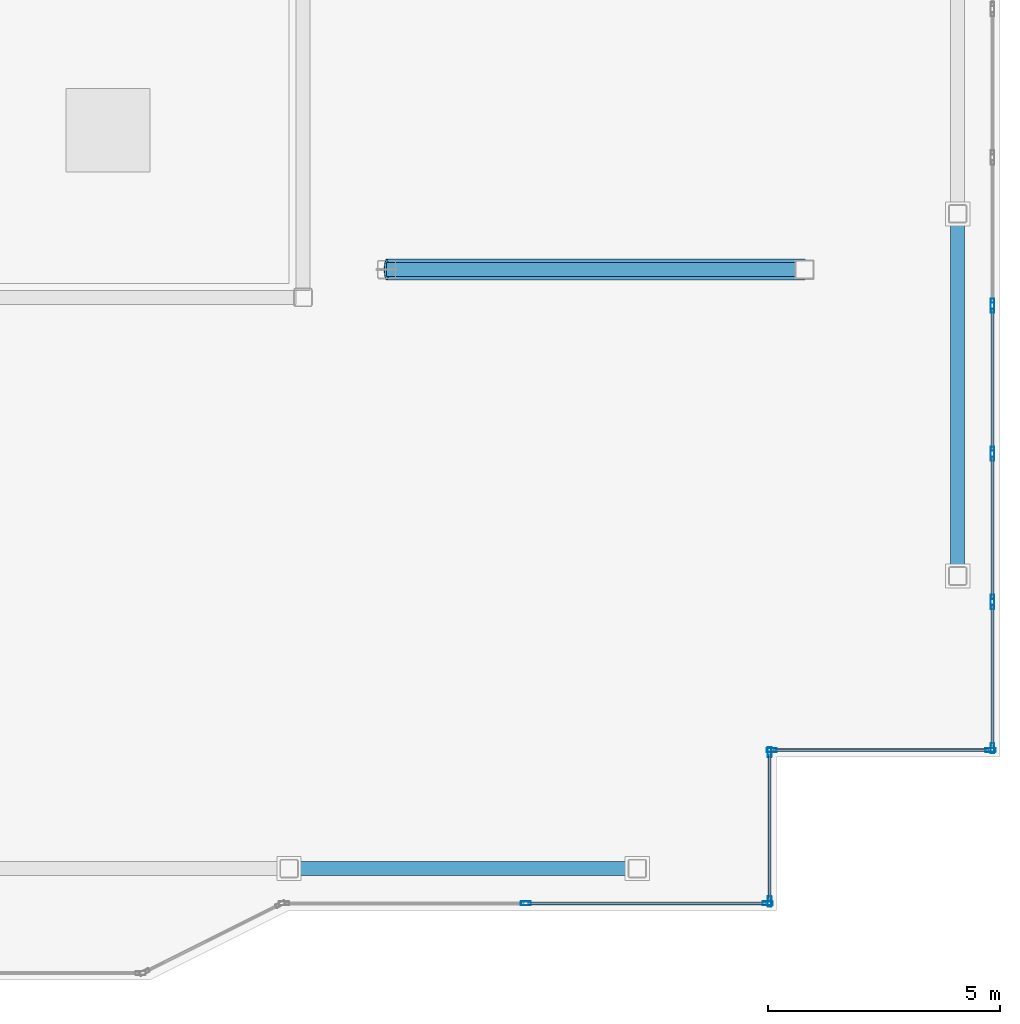
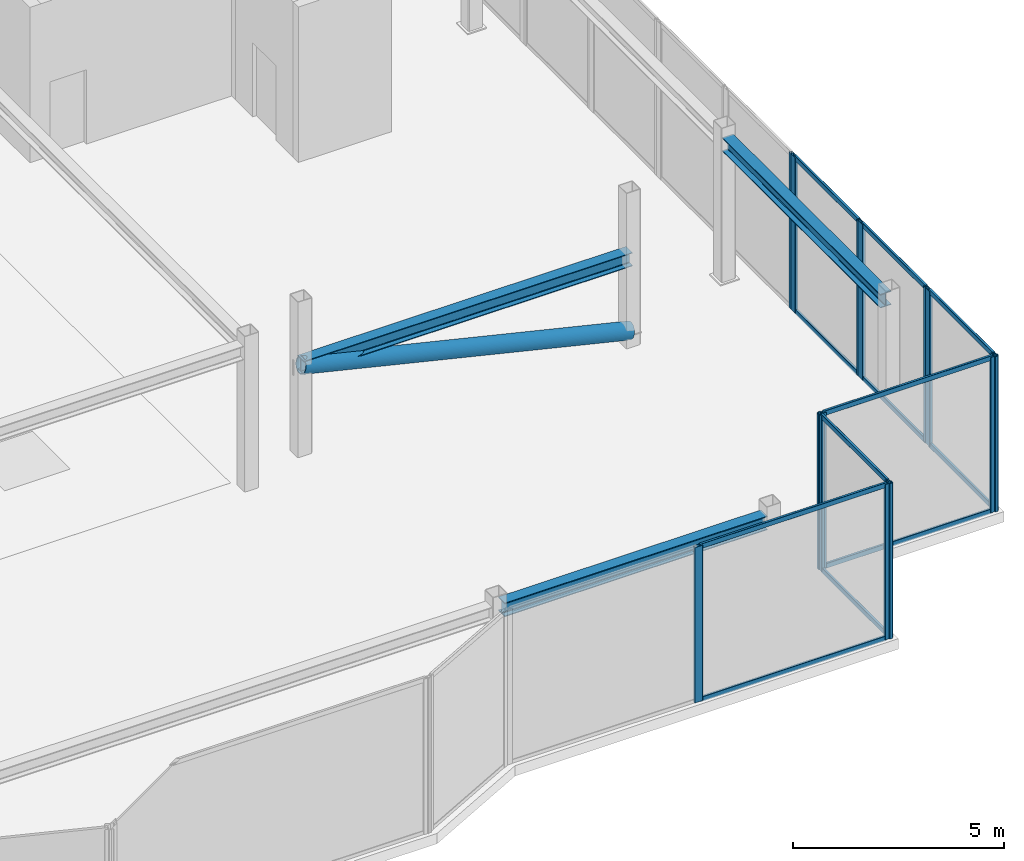
# One storey, part 8 of 18: 26 members, 3 beams, 7 elements without a shape of their own.
"""IFC4 building model written with IfcOpenShell, lengths in metres."""

from ifc_helpers import new_model, si_unit, direction, frame, origin, origin_2d, place, context, subcontext, project, spatial, hollow_rectangle, hollow_circle, i_section, extrude, material, layer, layer_set, material_profile, profile_set, type_object, element, aggregate, save


model = new_model("IFC4")

# Units and contexts
model_context = context("Model", 3, precision=1e-05, world=origin(), true_north=direction((0.0, 1.0)))
body_context = subcontext(model_context, "Body", "Model", "MODEL_VIEW")
ifc_project = project(units=[si_unit("LENGTHUNIT", "METRE"), si_unit("AREAUNIT", "SQUARE_METRE"), si_unit("VOLUMEUNIT", "CUBIC_METRE"), si_unit("PLANEANGLEUNIT", "RADIAN"), si_unit("MASSUNIT", "GRAM", prefix="KILO")], contexts=[model_context])

# Site, building, storey
site_placement = place(None, origin())
site = spatial("IfcSite", under=ifc_project, at=site_placement, CompositionType="ELEMENT")
building_placement = place(site_placement, origin())
building = spatial("IfcBuilding", under=site, at=building_placement, Name="Tarnavaz Court Tower", CompositionType="ELEMENT")
storey_placement = place(building_placement, frame((0.0, 0.0, 281.550048828125)))
storey = spatial("IfcBuildingStorey", under=building, at=storey_placement, Name="C01", CompositionType="ELEMENT", Elevation=281.550048828125)

# Beams
ifc_material_1 = material(Name="Steel S355", Category="steel")
ifc_material_profile_1 = material_profile(ifc_material_1, i_section(OverallWidth=0.300048828125, OverallDepth=0.389892578125, WebThickness=0.010986328125, FlangeThickness=0.01904296875, FilletRadius=0.027099609375, at=origin_2d()), Name="HEA 400")
ifc_profile_set_1 = profile_set([ifc_material_profile_1], Name="Steel S355")
beam_type_1 = type_object("IfcBeamType", Name="BM-CR-IPE300", PredefinedType="USERDEFINED", material=ifc_profile_set_1)
beam_1_placement = place(storey_placement, frame((18.60009765625, -7.199951171875, 2.5), z_axis=(-1.0, 0.0, 0.0), x_axis=(0.0, -1.0, 0.0)))
element("IfcBeam", 1, at=beam_1_placement, inside=storey, type_object=beam_type_1, Name="C01 Crown Frame E Core Tie Beam", ObjectType="CROWN FRAME", PredefinedType="USERDEFINED", context=body_context, shape_type="SweptSolid", body=[
    extrude(i_section(OverallWidth=0.300048828125, OverallDepth=0.389892578125, WebThickness=0.010986328125, FlangeThickness=0.01904296875, FilletRadius=0.027099609375, at=origin_2d()), origin(), (0.0, 0.0, 1.0), 9.0),
])
ifc_material_profile_2 = material_profile(ifc_material_1, i_section(OverallWidth=0.300048828125, OverallDepth=0.39990234375, WebThickness=0.013427734375, FlangeThickness=0.02392578125, FilletRadius=0.027099609375, at=origin_2d()), Name="HEB 400")
ifc_profile_set_2 = profile_set([ifc_material_profile_2], Name="Steel S355")
beam_type_2 = type_object("IfcBeamType", Name="BM-G-HEB400", PredefinedType="USERDEFINED", material=ifc_profile_set_2)
beam_2_placement = place(storey_placement, frame((7.64990234375, -20.10009765625, 4.0), z_axis=(1.0, 0.0, 0.0), x_axis=(0.0, 1.0, 0.0)))
element("IfcBeam", 2, at=beam_2_placement, inside=storey, type_object=beam_type_2, Name="C01 Beam CRG-PS-3-PS-4", ObjectType="GIRDER", PredefinedType="USERDEFINED", context=body_context, shape_type="SweptSolid", body=[
    extrude(i_section(OverallWidth=0.300048828125, OverallDepth=0.39990234375, WebThickness=0.013427734375, FlangeThickness=0.02392578125, FilletRadius=0.027099609375, at=origin_2d()), origin(), (0.0, 0.0, 1.0), 7.2001953125),
])
beam_3_placement = place(storey_placement, frame((21.89990234375, -13.64990234375, 4.0), z_axis=(0.0, 1.0, 0.0), x_axis=(-1.0, 0.0, 0.0)))
element("IfcBeam", 3, at=beam_3_placement, inside=storey, type_object=beam_type_2, Name="C01 Beam CRG-PE-1-PE-2", ObjectType="GIRDER", PredefinedType="USERDEFINED", context=body_context, shape_type="SweptSolid", body=[
    extrude(i_section(OverallWidth=0.300048828125, OverallDepth=0.39990234375, WebThickness=0.013427734375, FlangeThickness=0.02392578125, FilletRadius=0.027099609375, at=origin_2d()), origin(), (0.0, 0.0, 1.0), 7.5),
])

# Curtain wall, member
ifc_material_2 = material(Name="Anodised Aluminium 6063-T6 and Solar Low-E Glazing", Category="aluminium")
ifc_layer = layer(ifc_material_2, 0.2099609375)
ifc_layer_set = layer_set([ifc_layer], Name="Anodised Aluminium 6063-T6 and Solar Low-E Glazing")
curtain_wall_type = type_object("IfcCurtainWallType", Name="CW-SYS-06", PredefinedType="NOTDEFINED", material=ifc_layer_set)
curtain_wall_1_placement = place(storey_placement, origin())
curtain_wall_1 = element("IfcCurtainWall", 4, at=curtain_wall_1_placement, inside=storey, type_object=curtain_wall_type, Name="C01 Slanted Crown Terracotta Curtain Wall 31", PredefinedType="NOTDEFINED")
ifc_material_3 = material(Name="Anodised Aluminium 6063-T6", Category="aluminium")
ifc_material_profile_3 = material_profile(ifc_material_3, hollow_rectangle(XDim=0.0849609375, YDim=0.219970703125, WallThickness=0.006103515625, InnerFilletRadius=0.006103515625, OuterFilletRadius=0.011962890625, at=origin_2d()), Name="ALU RHS 220X85X6")
ifc_profile_set_3 = profile_set([ifc_material_profile_3], Name="Anodised Aluminium 6063-T6")
member_type_1 = type_object("IfcMemberType", Name="CW-MUL-220", PredefinedType="MULLION", material=ifc_profile_set_3)
member_1_placement = place(storey_placement, frame((22.64990234375, -7.934814453125, 0.0), z_axis=(0.0, 0.0, 1.0), x_axis=(1.0, 0.0, 0.0)))
member_1 = element("IfcMember", 5, at=member_1_placement, type_object=member_type_1, Name="CW mullion 2", PredefinedType="MULLION", context=body_context, shape_type="SweptSolid", body=[
    extrude(hollow_rectangle(XDim=0.0849609375, YDim=0.219970703125, WallThickness=0.006103515625, InnerFilletRadius=0.006103515625, OuterFilletRadius=0.011962890625, at=origin_2d()), origin(), (0.0, 0.0, 1.0), 4.5),
])
aggregate(curtain_wall_1, [member_1])

# Curtain wall, members
curtain_wall_2_placement = place(storey_placement, origin())
curtain_wall_2 = element("IfcCurtainWall", 6, at=curtain_wall_2_placement, inside=storey, type_object=curtain_wall_type, Name="C01 Slanted Crown Terracotta Curtain Wall 32", PredefinedType="NOTDEFINED")
member_2_placement = place(storey_placement, frame((22.64990234375, -8.019775390625, 0.0), z_axis=(0.0, 0.0, 1.0), x_axis=(1.0, 0.0, 0.0)))
member_2 = element("IfcMember", 7, at=member_2_placement, type_object=member_type_1, Name="CW mullion 1", PredefinedType="MULLION", context=body_context, shape_type="SweptSolid", body=[
    extrude(hollow_rectangle(XDim=0.0849609375, YDim=0.219970703125, WallThickness=0.006103515625, InnerFilletRadius=0.006103515625, OuterFilletRadius=0.011962890625, at=origin_2d()), origin(), (0.0, 0.0, 1.0), 4.5),
])
member_3_placement = place(storey_placement, frame((22.64990234375, -11.125732421875, 0.0), z_axis=(0.0, 0.0, 1.0), x_axis=(1.0, 0.0, 0.0)))
member_3 = element("IfcMember", 8, at=member_3_placement, type_object=member_type_1, Name="CW mullion 2", PredefinedType="MULLION", context=body_context, shape_type="SweptSolid", body=[
    extrude(hollow_rectangle(XDim=0.0849609375, YDim=0.219970703125, WallThickness=0.006103515625, InnerFilletRadius=0.006103515625, OuterFilletRadius=0.011962890625, at=origin_2d()), origin(), (0.0, 0.0, 1.0), 4.5),
])

curtain_wall_3_placement = place(storey_placement, origin())
curtain_wall_3 = element("IfcCurtainWall", 9, at=curtain_wall_3_placement, inside=storey, type_object=curtain_wall_type, Name="C01 Slanted Crown Terracotta Curtain Wall 33", PredefinedType="NOTDEFINED")
member_4_placement = place(storey_placement, frame((22.64990234375, -11.210693359375, 0.0), z_axis=(0.0, 0.0, 1.0), x_axis=(1.0, 0.0, 0.0)))
member_4 = element("IfcMember", 10, at=member_4_placement, type_object=member_type_1, Name="CW mullion 1", PredefinedType="MULLION", context=body_context, shape_type="SweptSolid", body=[
    extrude(hollow_rectangle(XDim=0.0849609375, YDim=0.219970703125, WallThickness=0.006103515625, InnerFilletRadius=0.006103515625, OuterFilletRadius=0.011962890625, at=origin_2d()), origin(), (0.0, 0.0, 1.0), 4.5),
])
member_5_placement = place(storey_placement, frame((22.64990234375, -14.316650390625, 0.0), z_axis=(0.0, 0.0, 1.0), x_axis=(1.0, 0.0, 0.0)))
member_5 = element("IfcMember", 11, at=member_5_placement, type_object=member_type_1, Name="CW mullion 2", PredefinedType="MULLION", context=body_context, shape_type="SweptSolid", body=[
    extrude(hollow_rectangle(XDim=0.0849609375, YDim=0.219970703125, WallThickness=0.006103515625, InnerFilletRadius=0.006103515625, OuterFilletRadius=0.011962890625, at=origin_2d()), origin(), (0.0, 0.0, 1.0), 4.5),
])

curtain_wall_4_placement = place(storey_placement, origin())
curtain_wall_4 = element("IfcCurtainWall", 12, at=curtain_wall_4_placement, inside=storey, type_object=curtain_wall_type, Name="C01 Slanted Crown Terracotta Curtain Wall 34", PredefinedType="NOTDEFINED")
member_6_placement = place(storey_placement, frame((22.64990234375, -14.401611328125, 0.0), z_axis=(0.0, 0.0, 1.0), x_axis=(1.0, 0.0, 0.0)))
member_6 = element("IfcMember", 13, at=member_6_placement, type_object=member_type_1, Name="CW mullion 1", PredefinedType="MULLION", context=body_context, shape_type="SweptSolid", body=[
    extrude(hollow_rectangle(XDim=0.0849609375, YDim=0.219970703125, WallThickness=0.006103515625, InnerFilletRadius=0.006103515625, OuterFilletRadius=0.011962890625, at=origin_2d()), origin(), (0.0, 0.0, 1.0), 4.5),
])
member_7_placement = place(storey_placement, frame((22.64990234375, -17.507568359375, 0.0), z_axis=(0.0, 0.0, 1.0), x_axis=(1.0, 0.0, 0.0)))
member_7 = element("IfcMember", 14, at=member_7_placement, type_object=member_type_1, Name="CW mullion 2", PredefinedType="MULLION", context=body_context, shape_type="SweptSolid", body=[
    extrude(hollow_rectangle(XDim=0.0849609375, YDim=0.219970703125, WallThickness=0.006103515625, InnerFilletRadius=0.006103515625, OuterFilletRadius=0.011962890625, at=origin_2d()), origin(), (0.0, 0.0, 1.0), 4.5),
])

curtain_wall_5_placement = place(storey_placement, origin())
curtain_wall_5 = element("IfcCurtainWall", 15, at=curtain_wall_5_placement, inside=storey, type_object=curtain_wall_type, Name="C01 Slanted Crown Terracotta Curtain Wall 35", PredefinedType="NOTDEFINED")
member_8_placement = place(storey_placement, frame((22.607421875, -17.550048828125, 0.0), z_axis=(0.0, 0.0, 1.0), x_axis=(0.0, -1.0, 0.0)))
member_8 = element("IfcMember", 16, at=member_8_placement, type_object=member_type_1, Name="CW mullion 1", PredefinedType="MULLION", context=body_context, shape_type="SweptSolid", body=[
    extrude(hollow_rectangle(XDim=0.0849609375, YDim=0.219970703125, WallThickness=0.006103515625, InnerFilletRadius=0.006103515625, OuterFilletRadius=0.011962890625, at=origin_2d()), origin(), (0.0, 0.0, 1.0), 4.5),
])
member_9_placement = place(storey_placement, frame((17.892578125, -17.550048828125, 0.0), z_axis=(0.0, 0.0, 1.0), x_axis=(0.0, -1.0, 0.0)))
member_9 = element("IfcMember", 17, at=member_9_placement, type_object=member_type_1, Name="CW mullion 2", PredefinedType="MULLION", context=body_context, shape_type="SweptSolid", body=[
    extrude(hollow_rectangle(XDim=0.0849609375, YDim=0.219970703125, WallThickness=0.006103515625, InnerFilletRadius=0.006103515625, OuterFilletRadius=0.011962890625, at=origin_2d()), origin(), (0.0, 0.0, 1.0), 4.5),
])

curtain_wall_6_placement = place(storey_placement, origin())
curtain_wall_6 = element("IfcCurtainWall", 18, at=curtain_wall_6_placement, inside=storey, type_object=curtain_wall_type, Name="C01 Slanted Crown Terracotta Curtain Wall 36", PredefinedType="NOTDEFINED")
member_10_placement = place(storey_placement, frame((17.85009765625, -17.592529296875, 0.0), z_axis=(0.0, 0.0, 1.0), x_axis=(1.0, 0.0, 0.0)))
member_10 = element("IfcMember", 19, at=member_10_placement, type_object=member_type_1, Name="CW mullion 1", PredefinedType="MULLION", context=body_context, shape_type="SweptSolid", body=[
    extrude(hollow_rectangle(XDim=0.0849609375, YDim=0.219970703125, WallThickness=0.006103515625, InnerFilletRadius=0.006103515625, OuterFilletRadius=0.011962890625, at=origin_2d()), origin(), (0.0, 0.0, 1.0), 4.5),
])
member_11_placement = place(storey_placement, frame((17.85009765625, -20.8076171875, 0.0), z_axis=(0.0, 0.0, 1.0), x_axis=(1.0, 0.0, 0.0)))
member_11 = element("IfcMember", 20, at=member_11_placement, type_object=member_type_1, Name="CW mullion 2", PredefinedType="MULLION", context=body_context, shape_type="SweptSolid", body=[
    extrude(hollow_rectangle(XDim=0.0849609375, YDim=0.219970703125, WallThickness=0.006103515625, InnerFilletRadius=0.006103515625, OuterFilletRadius=0.011962890625, at=origin_2d()), origin(), (0.0, 0.0, 1.0), 4.5),
])

curtain_wall_7_placement = place(storey_placement, origin())
curtain_wall_7 = element("IfcCurtainWall", 21, at=curtain_wall_7_placement, inside=storey, type_object=curtain_wall_type, Name="C01 Slanted Crown Terracotta Curtain Wall 37", PredefinedType="NOTDEFINED")
member_12_placement = place(storey_placement, frame((17.8076171875, -20.85009765625, 0.0), z_axis=(0.0, 0.0, 1.0), x_axis=(0.0, -1.0, 0.0)))
member_12 = element("IfcMember", 22, at=member_12_placement, type_object=member_type_1, Name="CW mullion 1", PredefinedType="MULLION", context=body_context, shape_type="SweptSolid", body=[
    extrude(hollow_rectangle(XDim=0.0849609375, YDim=0.219970703125, WallThickness=0.006103515625, InnerFilletRadius=0.006103515625, OuterFilletRadius=0.011962890625, at=origin_2d()), origin(), (0.0, 0.0, 1.0), 4.5),
])
member_13_placement = place(storey_placement, frame((12.60009765625, -20.85009765625, 0.0), z_axis=(0.0, 0.0, 1.0), x_axis=(0.0, -1.0, 0.0)))
member_13 = element("IfcMember", 23, at=member_13_placement, type_object=member_type_1, Name="CW mullion 2", PredefinedType="MULLION", context=body_context, shape_type="SweptSolid", body=[
    extrude(hollow_rectangle(XDim=0.0849609375, YDim=0.219970703125, WallThickness=0.006103515625, InnerFilletRadius=0.006103515625, OuterFilletRadius=0.011962890625, at=origin_2d()), origin(), (0.0, 0.0, 1.0), 4.5),
])

# Member
ifc_material_profile_4 = material_profile(ifc_material_3, hollow_rectangle(XDim=0.06494140625, YDim=0.139892578125, WallThickness=0.00390625, InnerFilletRadius=0.00390625, OuterFilletRadius=0.008056640625, at=origin_2d()), Name="ALU RHS 140X65X4")
ifc_profile_set_4 = profile_set([ifc_material_profile_4], Name="Anodised Aluminium 6063-T6")
member_type_2 = type_object("IfcMemberType", Name="CW-TRN-140", PredefinedType="USERDEFINED", material=ifc_profile_set_4)
member_14_placement = place(storey_placement, frame((22.64990234375, -8.062255859375, 0.032470703125), z_axis=(0.0, -1.0, 0.0), x_axis=(1.0, 0.0, 0.0)))
member_14 = element("IfcMember", 24, at=member_14_placement, type_object=member_type_2, Name="CW transom 1.1", ObjectType="TRANSOM", PredefinedType="USERDEFINED", context=body_context, shape_type="SweptSolid", body=[
    extrude(hollow_rectangle(XDim=0.06494140625, YDim=0.139892578125, WallThickness=0.00390625, InnerFilletRadius=0.00390625, OuterFilletRadius=0.008056640625, at=origin_2d()), origin(), (0.0, 0.0, 1.0), 3.02099609375),
])

member_15_placement = place(storey_placement, frame((22.64990234375, -8.062255859375, 4.467529296875), z_axis=(0.0, -1.0, 0.0), x_axis=(1.0, 0.0, 0.0)))
member_15 = element("IfcMember", 25, at=member_15_placement, type_object=member_type_2, Name="CW transom 1.2", ObjectType="TRANSOM", PredefinedType="USERDEFINED", context=body_context, shape_type="SweptSolid", body=[
    extrude(hollow_rectangle(XDim=0.06494140625, YDim=0.139892578125, WallThickness=0.00390625, InnerFilletRadius=0.00390625, OuterFilletRadius=0.008056640625, at=origin_2d()), origin(), (0.0, 0.0, 1.0), 3.02099609375),
])

aggregate(curtain_wall_2, [member_2, member_3, member_14, member_15])

member_16_placement = place(storey_placement, frame((22.64990234375, -11.253173828125, 0.032470703125), z_axis=(0.0, -1.0, 0.0), x_axis=(1.0, 0.0, 0.0)))
member_16 = element("IfcMember", 26, at=member_16_placement, type_object=member_type_2, Name="CW transom 1.1", ObjectType="TRANSOM", PredefinedType="USERDEFINED", context=body_context, shape_type="SweptSolid", body=[
    extrude(hollow_rectangle(XDim=0.06494140625, YDim=0.139892578125, WallThickness=0.00390625, InnerFilletRadius=0.00390625, OuterFilletRadius=0.008056640625, at=origin_2d()), origin(), (0.0, 0.0, 1.0), 3.02099609375),
])

member_17_placement = place(storey_placement, frame((22.64990234375, -11.253173828125, 4.467529296875), z_axis=(0.0, -1.0, 0.0), x_axis=(1.0, 0.0, 0.0)))
member_17 = element("IfcMember", 27, at=member_17_placement, type_object=member_type_2, Name="CW transom 1.2", ObjectType="TRANSOM", PredefinedType="USERDEFINED", context=body_context, shape_type="SweptSolid", body=[
    extrude(hollow_rectangle(XDim=0.06494140625, YDim=0.139892578125, WallThickness=0.00390625, InnerFilletRadius=0.00390625, OuterFilletRadius=0.008056640625, at=origin_2d()), origin(), (0.0, 0.0, 1.0), 3.02099609375),
])

aggregate(curtain_wall_3, [member_4, member_5, member_16, member_17])

member_18_placement = place(storey_placement, frame((22.64990234375, -14.444091796875, 0.032470703125), z_axis=(0.0, -1.0, 0.0), x_axis=(1.0, 0.0, 0.0)))
member_18 = element("IfcMember", 28, at=member_18_placement, type_object=member_type_2, Name="CW transom 1.1", ObjectType="TRANSOM", PredefinedType="USERDEFINED", context=body_context, shape_type="SweptSolid", body=[
    extrude(hollow_rectangle(XDim=0.06494140625, YDim=0.139892578125, WallThickness=0.00390625, InnerFilletRadius=0.00390625, OuterFilletRadius=0.008056640625, at=origin_2d()), origin(), (0.0, 0.0, 1.0), 3.02099609375),
])

member_19_placement = place(storey_placement, frame((22.64990234375, -14.444091796875, 4.467529296875), z_axis=(0.0, -1.0, 0.0), x_axis=(1.0, 0.0, 0.0)))
member_19 = element("IfcMember", 29, at=member_19_placement, type_object=member_type_2, Name="CW transom 1.2", ObjectType="TRANSOM", PredefinedType="USERDEFINED", context=body_context, shape_type="SweptSolid", body=[
    extrude(hollow_rectangle(XDim=0.06494140625, YDim=0.139892578125, WallThickness=0.00390625, InnerFilletRadius=0.00390625, OuterFilletRadius=0.008056640625, at=origin_2d()), origin(), (0.0, 0.0, 1.0), 3.02099609375),
])

aggregate(curtain_wall_4, [member_6, member_7, member_18, member_19])

member_20_placement = place(storey_placement, frame((22.56494140625, -17.550048828125, 0.032470703125), z_axis=(-1.0, 0.0, 0.0), x_axis=(0.0, -1.0, 0.0)))
member_20 = element("IfcMember", 30, at=member_20_placement, type_object=member_type_2, Name="CW transom 1.1", ObjectType="TRANSOM", PredefinedType="USERDEFINED", context=body_context, shape_type="SweptSolid", body=[
    extrude(hollow_rectangle(XDim=0.06494140625, YDim=0.139892578125, WallThickness=0.00390625, InnerFilletRadius=0.00390625, OuterFilletRadius=0.008056640625, at=origin_2d()), origin(), (0.0, 0.0, 1.0), 4.6298828125),
])

member_21_placement = place(storey_placement, frame((22.56494140625, -17.550048828125, 4.467529296875), z_axis=(-1.0, 0.0, 0.0), x_axis=(0.0, -1.0, 0.0)))
member_21 = element("IfcMember", 31, at=member_21_placement, type_object=member_type_2, Name="CW transom 1.2", ObjectType="TRANSOM", PredefinedType="USERDEFINED", context=body_context, shape_type="SweptSolid", body=[
    extrude(hollow_rectangle(XDim=0.06494140625, YDim=0.139892578125, WallThickness=0.00390625, InnerFilletRadius=0.00390625, OuterFilletRadius=0.008056640625, at=origin_2d()), origin(), (0.0, 0.0, 1.0), 4.6298828125),
])

aggregate(curtain_wall_5, [member_8, member_9, member_20, member_21])

member_22_placement = place(storey_placement, frame((17.85009765625, -17.635009765625, 0.032470703125), z_axis=(0.0, -1.0, 0.0), x_axis=(1.0, 0.0, 0.0)))
member_22 = element("IfcMember", 32, at=member_22_placement, type_object=member_type_2, Name="CW transom 1.1", ObjectType="TRANSOM", PredefinedType="USERDEFINED", context=body_context, shape_type="SweptSolid", body=[
    extrude(hollow_rectangle(XDim=0.06494140625, YDim=0.139892578125, WallThickness=0.00390625, InnerFilletRadius=0.00390625, OuterFilletRadius=0.008056640625, at=origin_2d()), origin(), (0.0, 0.0, 1.0), 3.1298828125),
])

member_23_placement = place(storey_placement, frame((17.85009765625, -17.635009765625, 4.467529296875), z_axis=(0.0, -1.0, 0.0), x_axis=(1.0, 0.0, 0.0)))
member_23 = element("IfcMember", 33, at=member_23_placement, type_object=member_type_2, Name="CW transom 1.2", ObjectType="TRANSOM", PredefinedType="USERDEFINED", context=body_context, shape_type="SweptSolid", body=[
    extrude(hollow_rectangle(XDim=0.06494140625, YDim=0.139892578125, WallThickness=0.00390625, InnerFilletRadius=0.00390625, OuterFilletRadius=0.008056640625, at=origin_2d()), origin(), (0.0, 0.0, 1.0), 3.1298828125),
])

aggregate(curtain_wall_6, [member_10, member_11, member_22, member_23])

member_24_placement = place(storey_placement, frame((17.764892578125, -20.85009765625, 0.032470703125), z_axis=(-1.0, 0.0, 0.0), x_axis=(0.0, -1.0, 0.0)))
member_24 = element("IfcMember", 34, at=member_24_placement, type_object=member_type_2, Name="CW transom 1.1", ObjectType="TRANSOM", PredefinedType="USERDEFINED", context=body_context, shape_type="SweptSolid", body=[
    extrude(hollow_rectangle(XDim=0.06494140625, YDim=0.139892578125, WallThickness=0.00390625, InnerFilletRadius=0.00390625, OuterFilletRadius=0.008056640625, at=origin_2d()), origin(), (0.0, 0.0, 1.0), 5.122314453125),
])

member_25_placement = place(storey_placement, frame((17.764892578125, -20.85009765625, 4.467529296875), z_axis=(-1.0, 0.0, 0.0), x_axis=(0.0, -1.0, 0.0)))
member_25 = element("IfcMember", 35, at=member_25_placement, type_object=member_type_2, Name="CW transom 1.2", ObjectType="TRANSOM", PredefinedType="USERDEFINED", context=body_context, shape_type="SweptSolid", body=[
    extrude(hollow_rectangle(XDim=0.06494140625, YDim=0.139892578125, WallThickness=0.00390625, InnerFilletRadius=0.00390625, OuterFilletRadius=0.008056640625, at=origin_2d()), origin(), (0.0, 0.0, 1.0), 5.122314453125),
])

aggregate(curtain_wall_7, [member_12, member_13, member_24, member_25])

ifc_material_profile_5 = material_profile(ifc_material_1, hollow_circle(Radius=0.228515625, WallThickness=0.02001953125, at=origin_2d()), Name="CHS 457X20")
ifc_profile_set_5 = profile_set([ifc_material_profile_5], Name="Steel S355")
member_type_3 = type_object("IfcMemberType", Name="MB-CR-CHS273", PredefinedType="USERDEFINED", material=ifc_profile_set_5)
member_26_placement = place(storey_placement, frame((18.60009765625, -7.199951171875, 0.349853515625), z_axis=(-0.972628429945, 0.0, 0.232365955472), x_axis=(0.0, -1.0, 0.0)))
element("IfcMember", 36, at=member_26_placement, inside=storey, type_object=member_type_3, Name="C01 Crown Frame E Wind Brace", ObjectType="CROWN FRAME", PredefinedType="USERDEFINED", context=body_context, shape_type="SweptSolid", body=[
    extrude(hollow_circle(Radius=0.228515625, WallThickness=0.02001953125, at=origin_2d()), origin(), (0.0, 0.0, 1.0), 9.253173828125),
])

save(model, "model.ifc")
